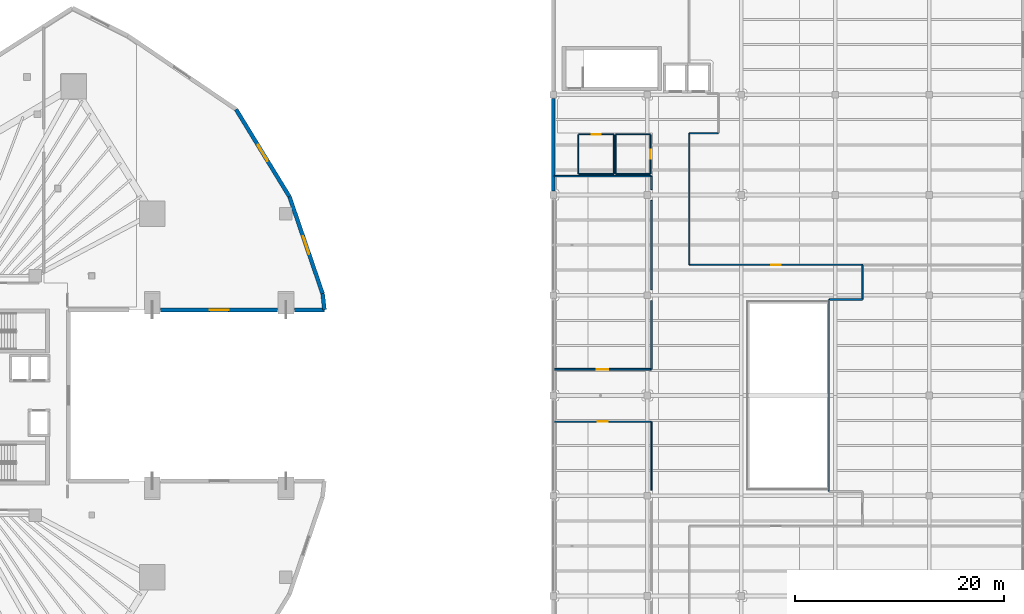
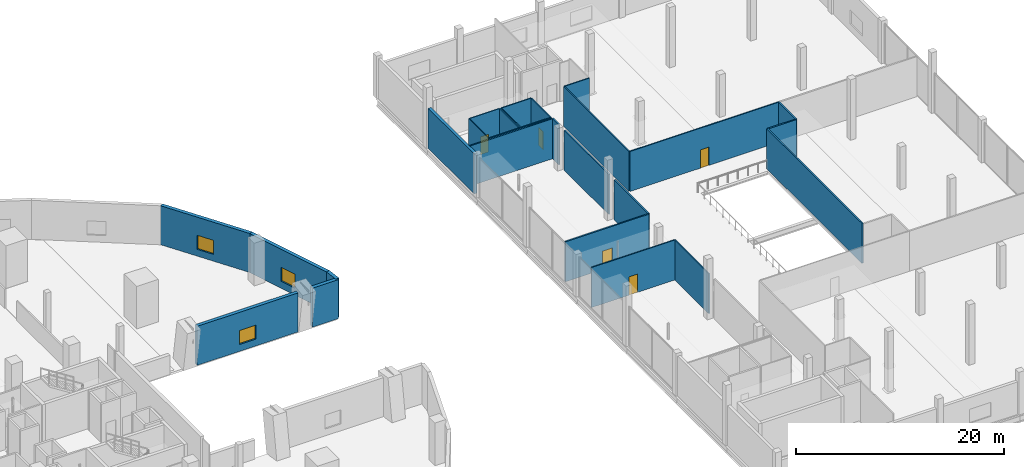
# One storey, part 32 of 43: 27 walls, 5 doors, 3 windows, 8 openings.
"""IFC4 building model written with IfcOpenShell, lengths in metres."""

from ifc_helpers import new_model, si_unit, direction, frame, frame_2d, origin, place, context, subcontext, project, spatial, rectangle, extrude, material, layer, layer_set, type_object, element, fill, save


model = new_model("IFC4")

# Units and contexts
model_context = context("Model", 3, precision=1e-05, world=origin(), true_north=direction((0.0, 1.0)))
body_context = subcontext(model_context, "Body", "Model", "MODEL_VIEW")
ifc_project = project(units=[si_unit("LENGTHUNIT", "METRE"), si_unit("AREAUNIT", "SQUARE_METRE"), si_unit("VOLUMEUNIT", "CUBIC_METRE"), si_unit("PLANEANGLEUNIT", "RADIAN"), si_unit("MASSUNIT", "GRAM", prefix="KILO")], contexts=[model_context])

# Site, building, storey
site_placement = place(None, origin())
site = spatial("IfcSite", under=ifc_project, at=site_placement, CompositionType="ELEMENT")
building_placement = place(site_placement, origin())
building = spatial("IfcBuilding", under=site, at=building_placement, Name="Qorvath Tower", CompositionType="ELEMENT")
storey_placement = place(building_placement, frame((0.0, 0.0, 22.0)))
storey = spatial("IfcBuildingStorey", under=building, at=storey_placement, Name="L04", CompositionType="ELEMENT", Elevation=22.0)

# Walls
ifc_material_1 = material(Name="Double acoustic gypsum board on steel studs", Category="steel")
ifc_layer_1 = layer(ifc_material_1, 0.159912109375)
ifc_layer_set_1 = layer_set([ifc_layer_1], Name="IW-ACOUSTIC-160")
wall_type_1 = type_object("IfcWallType", Name="IW-ACOUSTIC-160", PredefinedType="PARTITIONING", material=ifc_layer_set_1)
wall_1_placement = place(storey_placement, frame((62.008056640625, 12.47509765625, 0.0), z_axis=(0.0, 0.0, 1.0), x_axis=(0.0, -1.0, 0.0)))
element("IfcWall", 1, at=wall_1_placement, inside=storey, type_object=wall_type_1, Name="Interior Partition IW-LB-L04-020", PredefinedType="PARTITIONING", context=body_context, shape_type="SweptSolid", body=[
    extrude(rectangle(XDim=3.25830078125, YDim=0.159912109375, at=frame_2d((1.629150390625, 0.0))), origin(), (0.0, 0.0, 1.0), 4.699951171875),
])
wall_2_placement = place(storey_placement, frame((61.983154296875, 9.19189453125, 0.0), z_axis=(0.0, 0.0, 1.0), x_axis=(-1.0, 0.0, 0.0)))
element("IfcWall", 2, at=wall_2_placement, inside=storey, type_object=wall_type_1, Name="Interior Partition IW-LB-L04-021", PredefinedType="PARTITIONING", context=body_context, shape_type="SweptSolid", body=[
    extrude(rectangle(XDim=3.158203125, YDim=0.159912109375, at=frame_2d((1.5791015625, 0.0))), origin(), (0.0, 0.0, 1.0), 4.66357421875),
])
wall_3_placement = place(storey_placement, frame((58.800048828125, 9.1669921875, 0.0), z_axis=(0.0, 0.0, 1.0), x_axis=(0.0, -1.0, 0.0)))
element("IfcWall", 3, at=wall_3_placement, inside=storey, type_object=wall_type_1, Name="Interior Partition IW-LB-L04-022", PredefinedType="PARTITIONING", context=body_context, shape_type="SweptSolid", body=[
    extrude(rectangle(XDim=18.333984375, YDim=0.159912109375, at=frame_2d((9.1669921875, 0.0))), origin(), (0.0, 0.0, 1.0), 4.699951171875),
])

# Wall, opening, door
wall_4_placement = place(storey_placement, frame((32.47998046875, 2.508056640625, 0.0), z_axis=(0.0, 0.0, 1.0), x_axis=(1.0, 0.0, 0.0)))
wall_4 = element("IfcWall", 4, at=wall_4_placement, inside=storey, type_object=wall_type_1, Name="Interior Partition IW-LB-L04-036", PredefinedType="PARTITIONING", context=body_context, shape_type="SweptSolid", body=[
    extrude(rectangle(XDim=9.294921875, YDim=0.159912109375, at=frame_2d((4.6474609375, 0.0))), origin(), (0.0, 0.0, 1.0), 4.699951171875),
])
opening_1_placement = place(wall_4_placement, frame((4.097412109375, 0.0, 0.0)))
opening_1 = element("IfcOpeningElement", 5, at=opening_1_placement, cuts=wall_4, Name="Opening D-LB-L04-08", PredefinedType="OPENING", context=body_context, shape_type="SweptSolid", body=[
    extrude(rectangle(XDim=1.10009765625, YDim=2.14990234375, at=frame_2d((0.550048828125, 1.074951171875))), frame((0.0, 0.08984375, 0.0), z_axis=(0.0, -1.0, 0.0), x_axis=(1.0, 0.0, 0.0)), (0.0, 0.0, 1.0), 0.179931640625),
])
ifc_material_2 = material(Name="Anodised aluminium acoustic framed glass", Category="aluminium")
door_type_1 = type_object("IfcDoorType", Name="D-03", OperationType="NOTDEFINED", PredefinedType="DOOR", material=ifc_material_2)
door_1_placement = place(opening_1_placement, origin())
door_1 = element("IfcDoor", 6, at=door_1_placement, inside=storey, type_object=door_type_1, Name="L-L04-SPEC Rare Manuscripts Research Suite Door D-LB-L04-08", OperationType="SINGLE_SWING_RIGHT", OverallHeight=2.14990234375, OverallWidth=1.10009765625, PredefinedType="DOOR", context=body_context, shape_type="SweptSolid", body=[
    extrude(rectangle(XDim=1.10009765625, YDim=2.14990234375, at=frame_2d((0.550048828125, 1.074951171875))), frame((0.0, 0.02490234375, 0.0), z_axis=(0.0, -1.0, 0.0), x_axis=(1.0, 0.0, 0.0)), (0.0, 0.0, 1.0), 0.050048828125),
])
fill(opening_1, door_1)

# Walls
wall_5_placement = place(storey_placement, frame((41.800048828125, 2.533203125, 0.0), z_axis=(0.0, 0.0, 1.0), x_axis=(0.0, 1.0, 0.0)))
element("IfcWall", 7, at=wall_5_placement, inside=storey, type_object=wall_type_1, Name="Interior Partition IW-LB-L04-037", PredefinedType="PARTITIONING", context=body_context, shape_type="SweptSolid", body=[
    extrude(rectangle(XDim=6.5478515625, YDim=0.159912109375, at=frame_2d((3.27392578125, 0.0))), origin(), (0.0, 0.0, 1.0), 4.699951171875),
])
wall_6_placement = place(storey_placement, frame((41.800048828125, 10.118896484375, 0.0), z_axis=(0.0, 0.0, 1.0), x_axis=(0.0, 1.0, 0.0)))
element("IfcWall", 8, at=wall_6_placement, inside=storey, type_object=wall_type_1, Name="Interior Partition IW-LB-L04-038", PredefinedType="PARTITIONING", context=body_context, shape_type="SweptSolid", body=[
    extrude(rectangle(XDim=8.562255859375, YDim=0.159912109375, at=frame_2d((4.28125, 0.0))), origin(), (0.0, 0.0, 1.0), 4.699951171875),
])
wall_7_placement = place(storey_placement, frame((41.800048828125, 19.71875, 0.0), z_axis=(0.0, 0.0, 1.0), x_axis=(0.0, 1.0, 0.0)))
element("IfcWall", 9, at=wall_7_placement, inside=storey, type_object=wall_type_1, Name="Interior Partition IW-LB-L04-039", PredefinedType="PARTITIONING", context=body_context, shape_type="SweptSolid", body=[
    extrude(rectangle(XDim=1.25634765625, YDim=0.159912109375, at=frame_2d((0.628173828125, 0.0))), origin(), (0.0, 0.0, 1.0), 4.699951171875),
])
wall_8_placement = place(storey_placement, frame((41.77490234375, 21.0, 0.0), z_axis=(0.0, 0.0, 1.0), x_axis=(-1.0, 0.0, 0.0)))
element("IfcWall", 10, at=wall_8_placement, inside=storey, type_object=wall_type_1, Name="Interior Partition IW-LB-L04-040", PredefinedType="PARTITIONING", context=body_context, shape_type="SweptSolid", body=[
    extrude(rectangle(XDim=9.294921875, YDim=0.159912109375, at=frame_2d((4.6474609375, 0.0))), origin(), (0.0, 0.0, 1.0), 4.699951171875),
])
ifc_material_3 = material(Name="Gypsum board on metal studs with mineral wool", Category="gypsum")
ifc_layer_2 = layer(ifc_material_3, 0.125)
ifc_layer_set_2 = layer_set([ifc_layer_2], Name="IW-PART-125")
wall_type_2 = type_object("IfcWallType", Name="IW-PART-125", PredefinedType="PARTITIONING", material=ifc_layer_set_2)
wall_9_placement = place(storey_placement, frame((45.43310546875, 25.112060546875, 0.0), z_axis=(0.0, 0.0, 1.0), x_axis=(1.0, 0.0, 0.0)))
element("IfcWall", 11, at=wall_9_placement, inside=storey, type_object=wall_type_2, Name="Interior Partition IW-LB-L04-026", PredefinedType="PARTITIONING", context=body_context, shape_type="SweptSolid", body=[
    extrude(rectangle(XDim=2.75, YDim=0.125, at=frame_2d((1.375, 0.0))), origin(), (0.0, 0.0, 1.0), 4.699951171875),
])
wall_10_placement = place(storey_placement, frame((45.407958984375, 25.087158203125, 0.0), z_axis=(0.0, 0.0, 1.0), x_axis=(0.0, -1.0, 0.0)))
element("IfcWall", 12, at=wall_10_placement, inside=storey, type_object=wall_type_2, Name="Interior Partition IW-LB-L04-027", PredefinedType="PARTITIONING", context=body_context, shape_type="SweptSolid", body=[
    extrude(rectangle(XDim=12.553955078125, YDim=0.125, at=frame_2d((6.27685546875, 0.0))), origin(), (0.0, 0.0, 1.0), 4.699951171875),
])

# Wall, opening, door
wall_11_placement = place(storey_placement, frame((45.43310546875, 12.508056640625, 0.0), z_axis=(0.0, 0.0, 1.0), x_axis=(1.0, 0.0, 0.0)))
wall_11 = element("IfcWall", 13, at=wall_11_placement, inside=storey, type_object=wall_type_2, Name="Interior Partition IW-LB-L04-028", PredefinedType="PARTITIONING", context=body_context, shape_type="SweptSolid", body=[
    extrude(rectangle(XDim=16.5751953125, YDim=0.125, at=frame_2d((8.28759765625, 0.0))), origin(), (0.0, 0.0, 1.0), 4.699951171875),
])
opening_2_placement = place(wall_11_placement, frame((7.8125, 0.0, 0.0)))
opening_2 = element("IfcOpeningElement", 14, at=opening_2_placement, cuts=wall_11, Name="Opening D-LB-L04-06", PredefinedType="OPENING", context=body_context, shape_type="SweptSolid", body=[
    extrude(rectangle(XDim=0.949951171875, YDim=2.14990234375, at=frame_2d((0.47509765625, 1.074951171875))), frame((0.0, 0.072509765625, 0.0), z_axis=(0.0, -1.0, 0.0), x_axis=(1.0, 0.0, 0.0)), (0.0, 0.0, 1.0), 0.14501953125),
])
ifc_material_4 = material(Name="Solid-core American white oak veneer", Category="wood")
door_type_2 = type_object("IfcDoorType", Name="D-01", OperationType="NOTDEFINED", PredefinedType="DOOR", material=ifc_material_4)
door_2_placement = place(opening_2_placement, origin())
door_2 = element("IfcDoor", 15, at=door_2_placement, inside=storey, type_object=door_type_2, Name="L-L04-GRH-N North Folded-Plate Reference Stack Hall Door D-LB-L04-06", OperationType="SINGLE_SWING_RIGHT", OverallHeight=2.14990234375, OverallWidth=0.949951171875, PredefinedType="DOOR", context=body_context, shape_type="SweptSolid", body=[
    extrude(rectangle(XDim=0.949951171875, YDim=2.14990234375, at=frame_2d((0.47509765625, 1.074951171875))), frame((0.0, 0.02490234375, 0.0), z_axis=(0.0, -1.0, 0.0), x_axis=(1.0, 0.0, 0.0)), (0.0, 0.0, 1.0), 0.050048828125),
])
fill(opening_2, door_2)

# Wall
wall_12_placement = place(storey_placement, frame((41.800048828125, -9.0810546875, 0.0), z_axis=(0.0, 0.0, 1.0), x_axis=(0.0, 1.0, 0.0)))
element("IfcWall", 16, at=wall_12_placement, inside=storey, type_object=wall_type_2, Name="Interior Partition IW-LB-L04-044", PredefinedType="PARTITIONING", context=body_context, shape_type="SweptSolid", body=[
    extrude(rectangle(XDim=6.5478515625, YDim=0.125, at=frame_2d((3.27392578125, 0.0))), origin(), (0.0, 0.0, 1.0), 4.699951171875),
])

# Wall, opening, door
wall_13_placement = place(storey_placement, frame((41.77490234375, -2.508056640625, 0.0), z_axis=(0.0, 0.0, 1.0), x_axis=(-1.0, 0.0, 0.0)))
wall_13 = element("IfcWall", 17, at=wall_13_placement, inside=storey, type_object=wall_type_2, Name="Interior Partition IW-LB-L04-045", PredefinedType="PARTITIONING", context=body_context, shape_type="SweptSolid", body=[
    extrude(rectangle(XDim=9.294921875, YDim=0.125, at=frame_2d((4.6474609375, 0.0))), origin(), (0.0, 0.0, 1.0), 4.699951171875),
])
opening_3_placement = place(wall_13_placement, frame((4.17236328125, 0.0, 0.0)))
opening_3 = element("IfcOpeningElement", 18, at=opening_3_placement, cuts=wall_13, Name="Opening D-LB-L04-09", PredefinedType="OPENING", context=body_context, shape_type="SweptSolid", body=[
    extrude(rectangle(XDim=0.949951171875, YDim=2.14990234375, at=frame_2d((0.47509765625, 1.074951171875))), frame((0.0, 0.072509765625, 0.0), z_axis=(0.0, -1.0, 0.0), x_axis=(1.0, 0.0, 0.0)), (0.0, 0.0, 1.0), 0.14501953125),
])
door_3_placement = place(opening_3_placement, origin())
door_3 = element("IfcDoor", 19, at=door_3_placement, inside=storey, type_object=door_type_2, Name="L-L04-ADMIN Curatorial and Library Administration Suite Door D-LB-L04-09", OperationType="SINGLE_SWING_LEFT", OverallHeight=2.14990234375, OverallWidth=0.949951171875, PredefinedType="DOOR", context=body_context, shape_type="SweptSolid", body=[
    extrude(rectangle(XDim=0.949951171875, YDim=2.14990234375, at=frame_2d((0.47509765625, 1.074951171875))), frame((0.0, 0.02490234375, 0.0), z_axis=(0.0, -1.0, 0.0), x_axis=(1.0, 0.0, 0.0)), (0.0, 0.0, 1.0), 0.050048828125),
])
fill(opening_3, door_3)

# Walls
ifc_material_5 = material(Name="Moisture-resistant cement board on metal studs", Category="gypsum")
ifc_layer_3 = layer(ifc_material_5, 0.110107421875)
ifc_layer_set_3 = layer_set([ifc_layer_3], Name="IW-WC-110")
wall_type_3 = type_object("IfcWallType", Name="IW-WC-110", PredefinedType="PARTITIONING", material=ifc_layer_set_3)
wall_14_placement = place(storey_placement, frame((34.824951171875, 21.199951171875, 0.0), z_axis=(0.0, 0.0, 1.0), x_axis=(1.0, 0.0, 0.0)))
element("IfcWall", 20, at=wall_14_placement, inside=storey, type_object=wall_type_3, Name="Interior Partition IW-LB-L04-001", PredefinedType="PARTITIONING", context=body_context, shape_type="SweptSolid", body=[
    extrude(rectangle(XDim=3.35009765625, YDim=0.110107421875, at=frame_2d((1.675048828125, 0.0))), origin(), (0.0, 0.0, 1.0), 4.699951171875),
])
wall_15_placement = place(storey_placement, frame((38.199951171875, 21.22509765625, 0.0), z_axis=(0.0, 0.0, 1.0), x_axis=(0.0, 1.0, 0.0)))
element("IfcWall", 21, at=wall_15_placement, inside=storey, type_object=wall_type_3, Name="Interior Partition IW-LB-L04-002", PredefinedType="PARTITIONING", context=body_context, shape_type="SweptSolid", body=[
    extrude(rectangle(XDim=3.75, YDim=0.110107421875, at=frame_2d((1.875, 0.0))), origin(), (0.0, 0.0, 1.0), 4.699951171875),
])

# Wall, opening, door
wall_16_placement = place(storey_placement, frame((38.175048828125, 25.0, 0.0), z_axis=(0.0, 0.0, 1.0), x_axis=(-1.0, 0.0, 0.0)))
wall_16 = element("IfcWall", 22, at=wall_16_placement, inside=storey, type_object=wall_type_3, Name="Interior Partition IW-LB-L04-003", PredefinedType="PARTITIONING", context=body_context, shape_type="SweptSolid", body=[
    extrude(rectangle(XDim=3.35009765625, YDim=0.110107421875, at=frame_2d((1.675048828125, 0.0))), origin(), (0.0, 0.0, 1.0), 4.699951171875),
])
opening_4_placement = place(wall_16_placement, frame((1.235107421875, 0.0, 0.0)))
opening_4 = element("IfcOpeningElement", 23, at=opening_4_placement, cuts=wall_16, Name="Opening D-LB-L04-01", PredefinedType="OPENING", context=body_context, shape_type="SweptSolid", body=[
    extrude(rectangle(XDim=0.8798828125, YDim=2.10009765625, at=frame_2d((0.43994140625, 1.050048828125))), frame((0.0, 0.06494140625, 0.0), z_axis=(0.0, -1.0, 0.0), x_axis=(1.0, 0.0, 0.0)), (0.0, 0.0, 1.0), 0.130126953125),
])
ifc_material_6 = material(Name="Solid-core oak with acoustic drop seal", Category="wood")
door_type_3 = type_object("IfcDoorType", Name="D-02", OperationType="NOTDEFINED", PredefinedType="DOOR", material=ifc_material_6)
door_4_placement = place(opening_4_placement, origin())
door_4 = element("IfcDoor", 24, at=door_4_placement, inside=storey, type_object=door_type_3, Name="WC East Wing North L04 Door D-LB-L04-01", OperationType="SINGLE_SWING_LEFT", OverallHeight=2.10009765625, OverallWidth=0.8798828125, PredefinedType="DOOR", context=body_context, shape_type="SweptSolid", body=[
    extrude(rectangle(XDim=0.8798828125, YDim=2.10009765625, at=frame_2d((0.43994140625, 1.050048828125))), frame((0.0, 0.02490234375, 0.0), z_axis=(0.0, -1.0, 0.0), x_axis=(1.0, 0.0, 0.0)), (0.0, 0.0, 1.0), 0.050048828125),
])
fill(opening_4, door_4)

# Walls
wall_17_placement = place(storey_placement, frame((34.800048828125, 24.97509765625, 0.0), z_axis=(0.0, 0.0, 1.0), x_axis=(0.0, -1.0, 0.0)))
element("IfcWall", 25, at=wall_17_placement, inside=storey, type_object=wall_type_3, Name="Interior Partition IW-LB-L04-004", PredefinedType="PARTITIONING", context=body_context, shape_type="SweptSolid", body=[
    extrude(rectangle(XDim=3.75, YDim=0.110107421875, at=frame_2d((1.875, 0.0))), origin(), (0.0, 0.0, 1.0), 4.699951171875),
])
wall_18_placement = place(storey_placement, frame((38.375, 21.199951171875, 0.0), z_axis=(0.0, 0.0, 1.0), x_axis=(1.0, 0.0, 0.0)))
element("IfcWall", 26, at=wall_18_placement, inside=storey, type_object=wall_type_3, Name="Interior Partition IW-LB-L04-005", PredefinedType="PARTITIONING", context=body_context, shape_type="SweptSolid", body=[
    extrude(rectangle(XDim=3.300048828125, YDim=0.110107421875, at=frame_2d((1.64990234375, 0.0))), origin(), (0.0, 0.0, 1.0), 4.699951171875),
])

# Wall, opening, door
wall_19_placement = place(storey_placement, frame((41.699951171875, 21.22509765625, 0.0), z_axis=(0.0, 0.0, 1.0), x_axis=(0.0, 1.0, 0.0)))
wall_19 = element("IfcWall", 27, at=wall_19_placement, inside=storey, type_object=wall_type_3, Name="Interior Partition IW-LB-L04-006", PredefinedType="PARTITIONING", context=body_context, shape_type="SweptSolid", body=[
    extrude(rectangle(XDim=3.75, YDim=0.110107421875, at=frame_2d((1.875, 0.0))), origin(), (0.0, 0.0, 1.0), 4.699951171875),
])
opening_5_placement = place(wall_19_placement, frame((1.43505859375, 0.0, 0.0)))
opening_5 = element("IfcOpeningElement", 28, at=opening_5_placement, cuts=wall_19, Name="Opening D-LB-L04-02", PredefinedType="OPENING", context=body_context, shape_type="SweptSolid", body=[
    extrude(rectangle(XDim=0.8798828125, YDim=2.10009765625, at=frame_2d((0.43994140625, 1.050048828125))), frame((0.0, 0.06494140625, 0.0), z_axis=(0.0, -1.0, 0.0), x_axis=(1.0, 0.0, 0.0)), (0.0, 0.0, 1.0), 0.130126953125),
])
door_5_placement = place(opening_5_placement, origin())
door_5 = element("IfcDoor", 29, at=door_5_placement, inside=storey, type_object=door_type_3, Name="WC East Wing South L04 Door D-LB-L04-02", OperationType="SINGLE_SWING_RIGHT", OverallHeight=2.10009765625, OverallWidth=0.8798828125, PredefinedType="DOOR", context=body_context, shape_type="SweptSolid", body=[
    extrude(rectangle(XDim=0.8798828125, YDim=2.10009765625, at=frame_2d((0.43994140625, 1.050048828125))), frame((0.0, 0.02490234375, 0.0), z_axis=(0.0, -1.0, 0.0), x_axis=(1.0, 0.0, 0.0)), (0.0, 0.0, 1.0), 0.050048828125),
])
fill(opening_5, door_5)

# Walls
wall_20_placement = place(storey_placement, frame((41.675048828125, 25.0, 0.0), z_axis=(0.0, 0.0, 1.0), x_axis=(-1.0, 0.0, 0.0)))
element("IfcWall", 30, at=wall_20_placement, inside=storey, type_object=wall_type_3, Name="Interior Partition IW-LB-L04-007", PredefinedType="PARTITIONING", context=body_context, shape_type="SweptSolid", body=[
    extrude(rectangle(XDim=3.300048828125, YDim=0.110107421875, at=frame_2d((1.64990234375, 0.0))), origin(), (0.0, 0.0, 1.0), 4.699951171875),
])
wall_21_placement = place(storey_placement, frame((38.35009765625, 24.97509765625, 0.0), z_axis=(0.0, 0.0, 1.0), x_axis=(0.0, -1.0, 0.0)))
element("IfcWall", 31, at=wall_21_placement, inside=storey, type_object=wall_type_3, Name="Interior Partition IW-LB-L04-008", PredefinedType="PARTITIONING", context=body_context, shape_type="SweptSolid", body=[
    extrude(rectangle(XDim=3.75, YDim=0.110107421875, at=frame_2d((1.875, 0.0))), origin(), (0.0, 0.0, 1.0), 4.699951171875),
])
ifc_material_7 = material(Name="Precast concrete C45/55", Category="concrete")
ifc_layer_4 = layer(ifc_material_7, 0.320068359375)
ifc_layer_set_4 = layer_set([ifc_layer_4], Name="WL-EW-LIB-320")
wall_type_4 = type_object("IfcWallType", Name="WL-EW-LIB-320", PredefinedType="SOLIDWALL", material=ifc_layer_set_4)
wall_22_placement = place(storey_placement, frame((32.39990234375, 19.570068359375, 0.0), z_axis=(0.0, 0.0, 1.0), x_axis=(0.0, 1.0, 0.0)))
element("IfcWall", 32, at=wall_22_placement, inside=storey, type_object=wall_type_4, Name="Library West Precast Facade Wall L04-7", PredefinedType="SOLIDWALL", context=body_context, shape_type="SweptSolid", body=[
    extrude(rectangle(XDim=8.85986328125, YDim=0.320068359375, at=frame_2d((4.429931640625, 0.0))), origin(), (0.0, 0.0, 1.0), 4.699951171875),
])

# Wall, opening, window
ifc_material_8 = material(Name="Precast concrete C50/60", Category="concrete")
ifc_layer_5 = layer(ifc_material_8, 0.3798828125)
ifc_layer_set_5 = layer_set([ifc_layer_5], Name="WL-EW-POD-380")
wall_type_5 = type_object("IfcWallType", Name="WL-EW-POD-380", PredefinedType="SOLIDWALL", material=ifc_layer_set_5)
wall_23_placement = place(storey_placement, frame((-5.205078125, 8.199951171875, 0.0), z_axis=(0.0, 0.0, 1.0), x_axis=(1.0, 0.0, 0.0)))
wall_23 = element("IfcWall", 33, at=wall_23_placement, inside=storey, type_object=wall_type_5, Name="Tower Podium Precast Facade Wall L04-3.2", PredefinedType="SOLIDWALL", context=body_context, shape_type="SweptSolid", body=[
    extrude(rectangle(XDim=11.2099609375, YDim=0.3798828125, at=frame_2d((5.60498046875, 0.0))), origin(), (0.0, 0.0, 1.0), 4.580078125),
])
opening_6_placement = place(wall_23_placement, frame((4.705078125, 0.0, 0.800048828125)))
opening_6 = element("IfcOpeningElement", 34, at=opening_6_placement, cuts=wall_23, Name="Opening WN-L04-045", PredefinedType="OPENING", context=body_context, shape_type="SweptSolid", body=[
    extrude(rectangle(XDim=1.800048828125, YDim=1.64990234375, at=frame_2d((0.89990234375, 0.824951171875))), frame((0.0, 0.199951171875, 0.0), z_axis=(0.0, -1.0, 0.0), x_axis=(1.0, 0.0, 0.0)), (0.0, 0.0, 1.0), 0.39990234375),
])
ifc_material_9 = material(Name="Thermally broken aluminium and triple low-E glass", Category="aluminium")
window_type = type_object("IfcWindowType", Name="WN-1", PartitioningType="SINGLE_PANEL", PredefinedType="WINDOW", material=ifc_material_9)
window_1_placement = place(opening_6_placement, origin())
window_1 = element("IfcWindow", 35, at=window_1_placement, inside=storey, type_object=window_type, Name="Podium Punched Window L04-045", OverallHeight=1.64990234375, OverallWidth=1.800048828125, PartitioningType="SINGLE_PANEL", PredefinedType="WINDOW", context=body_context, shape_type="SweptSolid", body=[
    extrude(rectangle(XDim=1.800048828125, YDim=1.64990234375, at=frame_2d((0.89990234375, 0.824951171875))), frame((0.0, 0.030029296875, 0.0), z_axis=(0.0, -1.0, 0.0), x_axis=(1.0, 0.0, 0.0)), (0.0, 0.0, 1.0), 0.06005859375),
])
fill(opening_6, window_1)

# Walls
wall_24_placement = place(storey_placement, frame((7.594970703125, 8.199951171875, 0.0), z_axis=(0.0, 0.0, 1.0), x_axis=(1.0, 0.0, 0.0)))
element("IfcWall", 36, at=wall_24_placement, inside=storey, type_object=wall_type_5, Name="Tower Podium Precast Facade Wall L04-3.3", PredefinedType="SOLIDWALL", context=body_context, shape_type="SweptSolid", body=[
    extrude(rectangle(XDim=2.88818359375, YDim=0.3798828125, at=frame_2d((1.444091796875, 0.0))), origin(), (0.0, 0.0, 1.0), 4.580078125),
])
wall_25_placement = place(storey_placement, frame((10.3125, 9.748779296875, 0.0), z_axis=(0.0, 0.0, 1.0), x_axis=(0.109520054504, -0.993984586229, 0.0)))
element("IfcWall", 37, at=wall_25_placement, inside=storey, type_object=wall_type_5, Name="Tower Podium Precast Facade Wall L04-4.1", PredefinedType="SOLIDWALL", context=body_context, shape_type="SweptSolid", body=[
    extrude(rectangle(XDim=1.55810546875, YDim=0.3798828125, at=frame_2d((0.779052734375, 0.0))), origin(), (0.0, 0.0, 1.0), 4.580078125),
])

# Wall, opening, window
wall_26_placement = place(storey_placement, frame((7.139404296875, 19.029052734375, 0.0), z_axis=(0.0, 0.0, 1.0), x_axis=(0.323529337119, -0.946218139767, 0.0)))
wall_26 = element("IfcWall", 38, at=wall_26_placement, inside=storey, type_object=wall_type_5, Name="Tower Podium Precast Facade Wall L04-5.1", PredefinedType="SOLIDWALL", context=body_context, shape_type="SweptSolid", body=[
    extrude(rectangle(XDim=9.807861328125, YDim=0.3798828125, at=frame_2d((4.90380859375, 0.0))), origin(), (0.0, 0.0, 1.0), 4.580078125),
])
opening_7_placement = place(wall_26_placement, frame((4.00390625, 0.0, 0.800048828125)))
opening_7 = element("IfcOpeningElement", 39, at=opening_7_placement, cuts=wall_26, Name="Opening WN-L04-046", PredefinedType="OPENING", context=body_context, shape_type="SweptSolid", body=[
    extrude(rectangle(XDim=1.800048828125, YDim=1.64990234375, at=frame_2d((0.89990234375, 0.824951171875))), frame((0.0, 0.199951171875, 0.0), z_axis=(0.0, -1.0, 0.0), x_axis=(1.0, 0.0, 0.0)), (0.0, 0.0, 1.0), 0.39990234375),
])
window_2_placement = place(opening_7_placement, origin())
window_2 = element("IfcWindow", 40, at=window_2_placement, inside=storey, type_object=window_type, Name="Podium Punched Window L04-046", OverallHeight=1.64990234375, OverallWidth=1.800048828125, PartitioningType="SINGLE_PANEL", PredefinedType="WINDOW", context=body_context, shape_type="SweptSolid", body=[
    extrude(rectangle(XDim=1.800048828125, YDim=1.64990234375, at=frame_2d((0.89990234375, 0.824951171875))), frame((0.0, 0.030029296875, 0.0), z_axis=(0.0, -1.0, 0.0), x_axis=(1.0, 0.0, 0.0)), (0.0, 0.0, 1.0), 0.06005859375),
])
fill(opening_7, window_2)

wall_27_placement = place(storey_placement, frame((2.0205078125, 27.39501953125, 0.0), z_axis=(0.0, 0.0, 1.0), x_axis=(0.521922160909, -0.852993117178, 0.0)))
wall_27 = element("IfcWall", 41, at=wall_27_placement, inside=storey, type_object=wall_type_5, Name="Tower Podium Precast Facade Wall L04-6.1", PredefinedType="SOLIDWALL", context=body_context, shape_type="SweptSolid", body=[
    extrude(rectangle(XDim=9.807861328125, YDim=0.3798828125, at=frame_2d((4.90380859375, 0.0))), origin(), (0.0, 0.0, 1.0), 4.580078125),
])
opening_8_placement = place(wall_27_placement, frame((4.00390625, 0.0, 0.800048828125)))
opening_8 = element("IfcOpeningElement", 42, at=opening_8_placement, cuts=wall_27, Name="Opening WN-L04-047", PredefinedType="OPENING", context=body_context, shape_type="SweptSolid", body=[
    extrude(rectangle(XDim=1.800048828125, YDim=1.64990234375, at=frame_2d((0.89990234375, 0.824951171875))), frame((0.0, 0.199951171875, 0.0), z_axis=(0.0, -1.0, 0.0), x_axis=(1.0, 0.0, 0.0)), (0.0, 0.0, 1.0), 0.39990234375),
])
window_3_placement = place(opening_8_placement, origin())
window_3 = element("IfcWindow", 43, at=window_3_placement, inside=storey, type_object=window_type, Name="Podium Punched Window L04-047", OverallHeight=1.64990234375, OverallWidth=1.800048828125, PartitioningType="SINGLE_PANEL", PredefinedType="WINDOW", context=body_context, shape_type="SweptSolid", body=[
    extrude(rectangle(XDim=1.800048828125, YDim=1.64990234375, at=frame_2d((0.89990234375, 0.824951171875))), frame((0.0, 0.030029296875, 0.0), z_axis=(0.0, -1.0, 0.0), x_axis=(1.0, 0.0, 0.0)), (0.0, 0.0, 1.0), 0.06005859375),
])
fill(opening_8, window_3)

save(model, "model.ifc")
